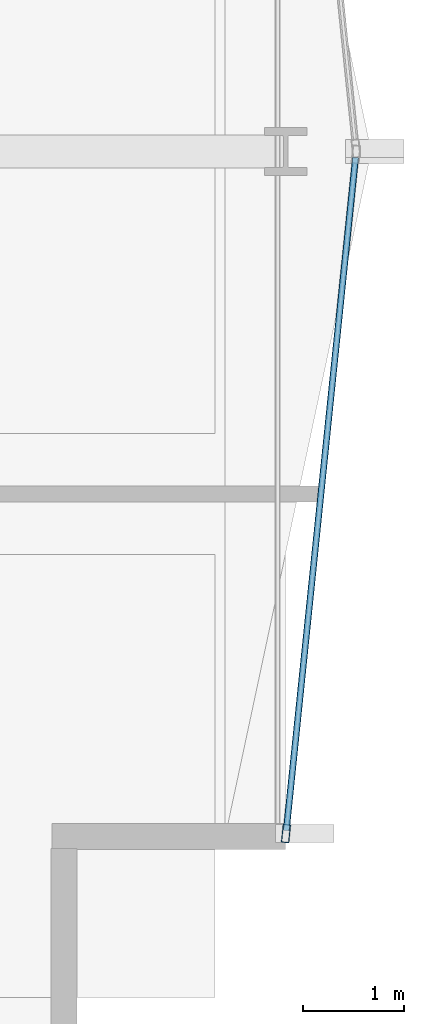
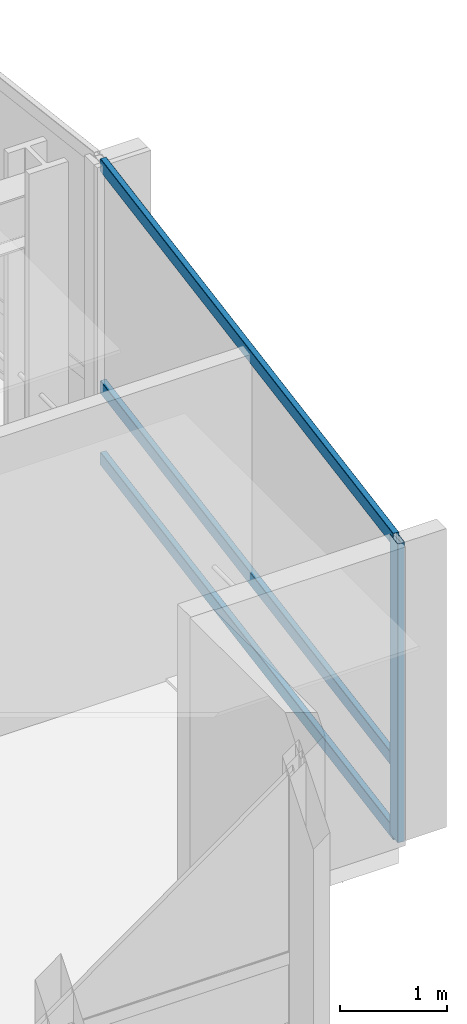
# One storey, part 13 of 34: 4 members, 1 element without a shape of its own.
"""IFC4 building model written with IfcOpenShell, lengths in metres."""

from ifc_helpers import new_model, si_unit, direction, frame, origin, origin_2d, place, context, subcontext, project, spatial, hollow_rectangle, extrude, material, layer, layer_set, material_profile, profile_set, type_object, element, aggregate, save


model = new_model("IFC4")

# Units and contexts
model_context = context("Model", 3, precision=1e-05, world=origin(), true_north=direction((0.0, 1.0)))
body_context = subcontext(model_context, "Body", "Model", "MODEL_VIEW")
ifc_project = project(units=[si_unit("LENGTHUNIT", "METRE"), si_unit("AREAUNIT", "SQUARE_METRE"), si_unit("VOLUMEUNIT", "CUBIC_METRE"), si_unit("PLANEANGLEUNIT", "RADIAN"), si_unit("MASSUNIT", "GRAM", prefix="KILO")], contexts=[model_context])

# Site, building, storey
site_placement = place(None, origin())
site = spatial("IfcSite", under=ifc_project, at=site_placement, CompositionType="ELEMENT")
building_placement = place(site_placement, origin())
building = spatial("IfcBuilding", under=site, at=building_placement, Name="Solvaryn Broadcast Tower", CompositionType="ELEMENT")
storey_placement = place(building_placement, frame((0.0, 0.0, 76.699951171875)))
storey = spatial("IfcBuildingStorey", under=building, at=storey_placement, Name="L18", CompositionType="ELEMENT", Elevation=76.699951171875)

# Curtain wall, members
ifc_material_1 = material(Name="Aluminium and Terracotta Unitised Curtain Wall", Category="masonry")
ifc_layer = layer(ifc_material_1, 0.199951171875)
ifc_layer_set = layer_set([ifc_layer], Name="CW-SYS2-LOWMID")
curtain_wall_type = type_object("IfcCurtainWallType", Name="CW-SYS2-LOWMID", PredefinedType="NOTDEFINED", material=ifc_layer_set)
curtain_wall_placement = place(storey_placement, origin())
curtain_wall = element("IfcCurtainWall", 1, at=curtain_wall_placement, inside=storey, type_object=curtain_wall_type, Name="L18 Curtain Wall ET2", PredefinedType="NOTDEFINED")
ifc_material_2 = material(Name="Anodised Aluminium 6063-T6", Category="aluminium")
ifc_material_profile_1 = material_profile(ifc_material_2, hollow_rectangle(XDim=0.074951171875, YDim=0.179931640625, WallThickness=0.00390625, InnerFilletRadius=0.00390625, OuterFilletRadius=0.008056640625, at=origin_2d()))
ifc_profile_set_1 = profile_set([ifc_material_profile_1], Name="Anodised Aluminium 6063-T6")
member_type_1 = type_object("IfcMemberType", Name="CW-MUL-180", PredefinedType="MULLION", material=ifc_profile_set_1)
member_1_placement = place(storey_placement, frame((63.003173828125, 11.229736328125, 0.0), z_axis=(0.0, 0.0, 1.0), x_axis=(0.99474329889, -0.10240004548, 0.0)))
member_1 = element("IfcMember", 2, at=member_1_placement, type_object=member_type_1, Name="CWS2 mullion 2", PredefinedType="MULLION", context=body_context, shape_type="SweptSolid", body=[
    extrude(hollow_rectangle(XDim=0.074951171875, YDim=0.179931640625, WallThickness=0.00390625, InnerFilletRadius=0.00390625, OuterFilletRadius=0.008056640625, at=origin_2d()), origin(), (0.0, 0.0, 1.0), 3.420166015625),
])
ifc_material_3 = material(Name="Anodised Aluminium 6063-T6", Category="aluminium")
ifc_material_profile_2 = material_profile(ifc_material_3, hollow_rectangle(XDim=0.06494140625, YDim=0.14990234375, WallThickness=0.00390625, InnerFilletRadius=0.00390625, OuterFilletRadius=0.008056640625, at=origin_2d()))
ifc_profile_set_2 = profile_set([ifc_material_profile_2], Name="Anodised Aluminium 6063-T6")
member_type_2 = type_object("IfcMemberType", Name="CW-TRN-150", PredefinedType="USERDEFINED", material=ifc_profile_set_2)
member_2_placement = place(storey_placement, frame((63.69384765625, 17.9404296875, 0.030029296875), z_axis=(-0.102404277363, -0.994742863245, 0.0), x_axis=(0.994742863245, -0.102404277363, 0.0)))
member_2 = element("IfcMember", 3, at=member_2_placement, type_object=member_type_2, Name="CWS2 transom 1.1", ObjectType="TRANSOM", PredefinedType="USERDEFINED", context=body_context, shape_type="SweptSolid", body=[
    extrude(hollow_rectangle(XDim=0.06494140625, YDim=0.14990234375, WallThickness=0.00390625, InnerFilletRadius=0.00390625, OuterFilletRadius=0.008056640625, at=origin_2d()), origin(), (0.0, 0.0, 1.0), 6.716064453125),
])
member_3_placement = place(storey_placement, frame((63.69384765625, 17.9404296875, 0.85009765625), z_axis=(-0.102404277363, -0.994742863245, 0.0), x_axis=(0.994742863245, -0.102404277363, 0.0)))
member_3 = element("IfcMember", 4, at=member_3_placement, type_object=member_type_2, Name="CWS2 transom 1.2", ObjectType="TRANSOM", PredefinedType="USERDEFINED", context=body_context, shape_type="SweptSolid", body=[
    extrude(hollow_rectangle(XDim=0.06494140625, YDim=0.14990234375, WallThickness=0.00390625, InnerFilletRadius=0.00390625, OuterFilletRadius=0.008056640625, at=origin_2d()), origin(), (0.0, 0.0, 1.0), 6.716064453125),
])
member_4_placement = place(storey_placement, frame((63.69384765625, 17.9404296875, 3.39013671875), z_axis=(-0.102404277363, -0.994742863245, 0.0), x_axis=(0.994742863245, -0.102404277363, 0.0)))
member_4 = element("IfcMember", 5, at=member_4_placement, type_object=member_type_2, Name="CWS2 transom 1.3", ObjectType="TRANSOM", PredefinedType="USERDEFINED", context=body_context, shape_type="SweptSolid", body=[
    extrude(hollow_rectangle(XDim=0.06494140625, YDim=0.14990234375, WallThickness=0.00390625, InnerFilletRadius=0.00390625, OuterFilletRadius=0.008056640625, at=origin_2d()), origin(), (0.0, 0.0, 1.0), 6.716064453125),
])
aggregate(curtain_wall, [member_1, member_2, member_3, member_4])

save(model, "model.ifc")
